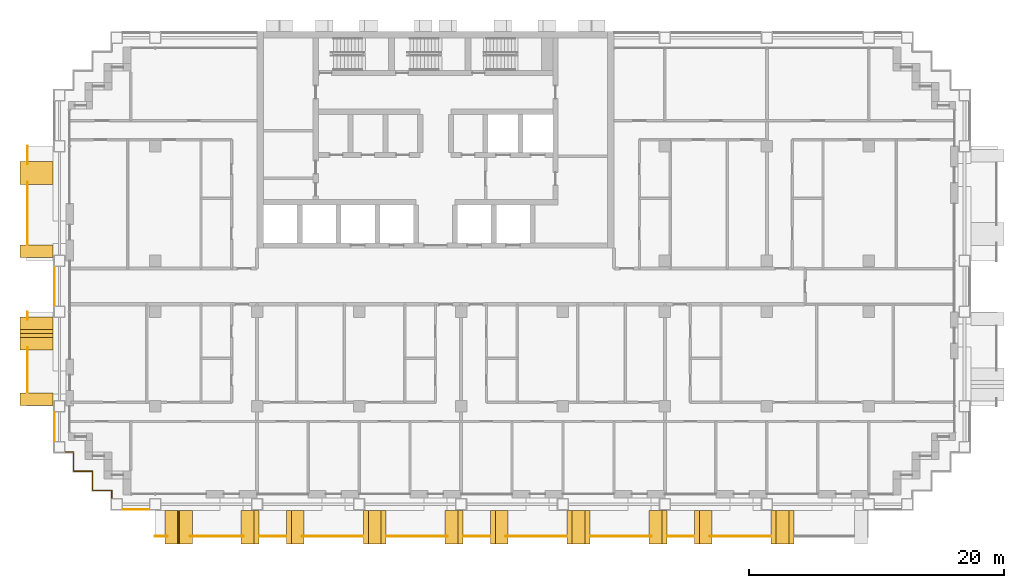
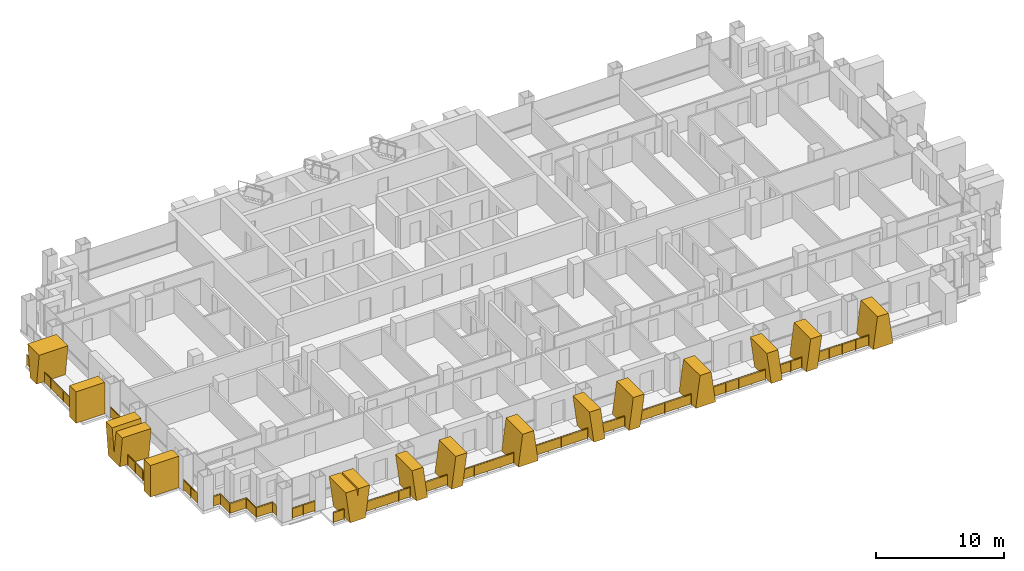
# One storey, part 15 of 18: 18 railings, 14 shading devices.
"""IFC4 building model written with IfcOpenShell, lengths in metres."""

import ifcopenshell
import ifcopenshell.guid

model = None  # the IFC model being written
_history = None  # IfcOwnerHistory: only IFC2X3 demands one
_inside = {}  # id of a spatial element -> (the spatial element, [elements in it])
_under = {}  # id of a project, library or spatial element -> (it, [spatial elements below it])
_declared = {}  # id of a project -> (the project, [libraries it declares])
_typed = {}  # id of a type object -> (the type object, [elements of that type])
_made_of = {}  # id of a material, layer set ... -> (it, [elements and type objects made of it])


def new_model(schema):
    """Start an empty IFC model of exactly this schema.

    Asked for "IFC4X3", IfcOpenShell would pick the latest addendum, in which some entities
    have other attributes; the version numbers below select the first issue.
    IFC2X3 requires an IfcOwnerHistory on every rooted entity: one is made here for all.
    """
    global model, _history
    if schema == "IFC4X3":
        model = ifcopenshell.file(schema_version=(4, 3, 0, 0))
    else:
        model = ifcopenshell.file(schema=schema)
    _inside.clear()
    _under.clear()
    _declared.clear()
    _typed.clear()
    _made_of.clear()
    _history = None
    if model.schema == "IFC2X3":
        org = make("IfcOrganization", Name="unknown")
        user = make(
            "IfcPersonAndOrganization",
            ThePerson=make("IfcPerson", FamilyName="unknown"),
            TheOrganization=org,
        )
        app = make(
            "IfcApplication",
            ApplicationDeveloper=org,
            Version="unknown",
            ApplicationFullName="unknown",
            ApplicationIdentifier="unknown",
        )
        _history = make(
            "IfcOwnerHistory",
            OwningUser=user,
            OwningApplication=app,
            ChangeAction="ADDED",
            CreationDate=0,
        )
    return model


def make(cls, **values):
    """One entity of the class cls with the attributes given. An attribute that is None is left unset."""
    return model.create_entity(
        cls, **{name: value for name, value in values.items() if value is not None}
    )


def rooted(cls, **values):
    """An entity with a GlobalId (a new one), such as an element, a storey or a relation."""
    return make(cls, GlobalId=ifcopenshell.guid.new(), OwnerHistory=_history, **values)


def si_unit(unit_type, name, prefix=None):
    """IfcSIUnit, for example si_unit("LENGTHUNIT", "METRE", prefix="MILLI")."""
    return make("IfcSIUnit", UnitType=unit_type, Prefix=prefix, Name=name)


def assignment(units):
    """IfcUnitAssignment: the units of a project."""
    return None if units is None else make("IfcUnitAssignment", Units=units)


def point(xyz):
    """IfcCartesianPoint."""
    return None if xyz is None else make("IfcCartesianPoint", Coordinates=xyz)


def direction(xyz):
    """IfcDirection."""
    return None if xyz is None else make("IfcDirection", DirectionRatios=xyz)


def frame(location, z_axis=None, x_axis=None):
    """IfcAxis2Placement3D, a coordinate frame: its origin and axes. An axis left out is left unset."""
    return make(
        "IfcAxis2Placement3D",
        Location=point(location),
        Axis=direction(z_axis),
        RefDirection=direction(x_axis),
    )


def frame_2d(location, x_axis=None):
    """IfcAxis2Placement2D, a coordinate frame in the plane: its origin and x axis."""
    return make(
        "IfcAxis2Placement2D", Location=point(location), RefDirection=direction(x_axis)
    )


def origin():
    """The frame at (0, 0, 0) with its axes left unset."""
    return frame((0.0, 0.0, 0.0))


def origin_2d():
    """The frame at (0, 0) in the plane with its x axis left unset."""
    return frame_2d((0.0, 0.0))


def place(relative_to, where):
    """IfcLocalPlacement: puts the frame where relative to a parent placement (None: the world)."""
    return make(
        "IfcLocalPlacement", PlacementRelTo=relative_to, RelativePlacement=where
    )


def context(
    kind, dimensions, precision=None, world=None, true_north=None, identifier=None
):
    """IfcGeometricRepresentationContext, for example the 3D "Model" context."""
    return make(
        "IfcGeometricRepresentationContext",
        ContextIdentifier=identifier,
        ContextType=kind,
        CoordinateSpaceDimension=dimensions,
        Precision=precision,
        WorldCoordinateSystem=world,
        TrueNorth=true_north,
    )


def subcontext(parent, identifier, kind, view, scale=None):
    """IfcGeometricRepresentationSubContext, for example "Body" below "Model"."""
    return make(
        "IfcGeometricRepresentationSubContext",
        ContextIdentifier=identifier,
        ContextType=kind,
        ParentContext=parent,
        TargetScale=scale,
        TargetView=view,
    )


def project(units=None, contexts=None):
    """IfcProject with its units and contexts."""
    return rooted(
        "IfcProject",
        Name="project",
        RepresentationContexts=contexts,
        UnitsInContext=assignment(units),
    )


def spatial(cls, under=None, at=None, **own):
    """A site, building, storey or space (cls), placed at a placement, below another one or the project."""
    s = rooted(cls, ObjectPlacement=at, **own)
    if under is not None:
        _under.setdefault(under.id(), (under, []))[1].append(s)
    return s


def polyline(points):
    """IfcPolyline through the points."""
    return make("IfcPolyline", Points=[point(p) for p in points])


def profile(cls, at=None, kind="AREA", **sizes):
    """A parametric profile (cls). Its sizes go by their IFC names, for example OverallWidth=200.0."""
    return make(cls, ProfileType=kind, Position=at, **sizes)


def rectangle(**sizes):
    """IfcRectangleProfileDef."""
    return profile("IfcRectangleProfileDef", **sizes)


def circle(**sizes):
    """IfcCircleProfileDef."""
    return profile("IfcCircleProfileDef", **sizes)


def outline(outer, holes=None, kind="AREA"):
    """IfcArbitraryClosedProfileDef: a profile drawn as a closed curve; with holes, ...WithVoids."""
    if holes is None:
        return make("IfcArbitraryClosedProfileDef", ProfileType=kind, OuterCurve=outer)
    return make(
        "IfcArbitraryProfileDefWithVoids",
        ProfileType=kind,
        OuterCurve=outer,
        InnerCurves=holes,
    )


def extrude(swept, where, along, depth):
    """IfcExtrudedAreaSolid: the profile swept, set in the frame where, extruded along a direction by depth."""
    return make(
        "IfcExtrudedAreaSolid",
        SweptArea=swept,
        Position=where,
        ExtrudedDirection=direction(along),
        Depth=depth,
    )


def shape(context_of_items, identifier, shape_type, items):
    """IfcShapeRepresentation: the items that make up one representation, for example the "Body"."""
    return make(
        "IfcShapeRepresentation",
        ContextOfItems=context_of_items,
        RepresentationIdentifier=identifier,
        RepresentationType=shape_type,
        Items=items,
    )


def material(Name=None, Category=None):
    """IfcMaterial."""
    return make("IfcMaterial", Name=Name, Category=Category)


def layer(
    of_material, thickness, ventilated=None, Name=None, Category=None, Priority=None
):
    """IfcMaterialLayer: one layer of a wall or slab, of a material (None: an air gap)."""
    return make(
        "IfcMaterialLayer",
        Material=of_material,
        LayerThickness=thickness,
        IsVentilated=ventilated,
        Name=Name,
        Category=Category,
        Priority=Priority,
    )


def layer_set(layers, Name=None):
    """IfcMaterialLayerSet."""
    return make("IfcMaterialLayerSet", MaterialLayers=layers, LayerSetName=Name)


def made_of(thing, what):
    """Note that an element or type object is made of a material, layer set ...; save() writes the relation."""
    if what is not None:
        _made_of.setdefault(what.id(), (what, []))[1].append(thing)
    return thing


def type_object(cls, material=None, **own):
    """A type object (cls), such as IfcWallType, which elements share."""
    return made_of(rooted(cls, **own), material)


def element(
    cls,
    number,
    at=None,
    inside=None,
    cuts=None,
    type_object=None,
    material=None,
    context=None,
    identifier="Body",
    shape_type=None,
    held_by="IfcProductDefinitionShape",
    body=None,
    shapes=None,
    **own,
):
    """One element of the class cls, such as IfcWall. Its Tag is "e" and its number.

    at: its placement. inside: the storey or other place that contains it. cuts: it is an
    opening in that element (IfcRelVoidsElement). A single representation is given by context,
    identifier, shape_type and body (its items); several are given by shapes. held_by: the class
    of the entity that holds the representations. save() writes the other relations.
    """
    e = rooted(cls, Tag="e%d" % number, ObjectPlacement=at, **own)
    if body is not None:
        shapes = [shape(context, identifier, shape_type, body)]
    if shapes is not None:
        e.Representation = make(held_by, Representations=shapes)
    if inside is not None:
        _inside.setdefault(inside.id(), (inside, []))[1].append(e)
    if cuts is not None:
        rooted(
            "IfcRelVoidsElement", RelatingBuildingElement=cuts, RelatedOpeningElement=e
        )
    if type_object is not None:
        _typed.setdefault(type_object.id(), (type_object, []))[1].append(e)
    return made_of(e, material)


def aggregate(whole, parts):
    """IfcRelAggregates: a whole, such as a stair, and the parts it consists of."""
    return rooted("IfcRelAggregates", RelatingObject=whole, RelatedObjects=parts)


def save(model, path):
    """Write the relations noted so far, then the file.

    IfcRelAggregates (storeys below a building ...), IfcRelContainedInSpatialStructure (elements
    in a storey), IfcRelDefinesByType, IfcRelAssociatesMaterial and IfcRelDeclares: one each for
    every whole, place, type object, material and project.
    """
    for whole, parts in _under.values():
        aggregate(whole, parts)
    for where, things in _inside.values():
        rooted(
            "IfcRelContainedInSpatialStructure",
            RelatedElements=things,
            RelatingStructure=where,
        )
    for kind, things in _typed.values():
        rooted("IfcRelDefinesByType", RelatedObjects=things, RelatingType=kind)
    for what, things in _made_of.values():
        rooted("IfcRelAssociatesMaterial", RelatedObjects=things, RelatingMaterial=what)
    for by, libraries in _declared.values():
        rooted("IfcRelDeclares", RelatingContext=by, RelatedDefinitions=libraries)
    model.write(path)


model = new_model("IFC4")

# Units and contexts
model_context = context("Model", 3, precision=1e-05, world=origin(), true_north=direction((0.0, 1.0)))
body_context = subcontext(model_context, "Body", "Model", "MODEL_VIEW")
ifc_project = project(units=[si_unit("LENGTHUNIT", "METRE"), si_unit("AREAUNIT", "SQUARE_METRE"), si_unit("VOLUMEUNIT", "CUBIC_METRE"), si_unit("PLANEANGLEUNIT", "RADIAN"), si_unit("MASSUNIT", "GRAM", prefix="KILO")], contexts=[model_context])

# Site, building, storey
site_placement = place(None, origin())
site = spatial("IfcSite", under=ifc_project, at=site_placement, CompositionType="ELEMENT")
building_placement = place(site_placement, origin())
building = spatial("IfcBuilding", under=site, at=building_placement, Name="Vidyagriha Tower", CompositionType="ELEMENT")
storey_placement = place(building_placement, frame((0.0, 0.0, 90.300048828125)))
storey = spatial("IfcBuildingStorey", under=building, at=storey_placement, Name="L23", CompositionType="ELEMENT", Elevation=90.300048828125)

# Railings
ifc_material_1 = material(Name="Steel ASTM A500 Grade C black painted", Category="steel")
railing_type_1 = type_object("IfcRailingType", Name="Balcony guard 1100", PredefinedType="BALUSTRADE", material=ifc_material_1)
railing_1_placement = place(storey_placement, frame((-32.0, 11.0, 0.0)))
element("IfcRailing", 1, at=railing_1_placement, inside=storey, type_object=railing_type_1, Name="Balcony guard L23 R16.1-1", PredefinedType="BALUSTRADE", context=body_context, shape_type="SweptSolid", body=[
    extrude(circle(Radius=0.02490234375, at=origin_2d()), frame((0.0, 0.0, 1.0751953125), z_axis=(0.0, -1.0, 0.0), x_axis=(1.0, 0.0, 0.0)), (0.0, 0.0, 1.0), 1.396728515625),
    extrude(circle(Radius=0.02001953125, at=origin_2d()), origin(), (0.0, 0.0, 1.0), 1.050048828125),
    extrude(circle(Radius=0.02001953125, at=origin_2d()), frame((0.0, -0.6982421875, 0.0)), (0.0, 0.0, 1.0), 1.050048828125),
    extrude(circle(Radius=0.02001953125, at=origin_2d()), frame((0.0, -1.396728515625, 0.0)), (0.0, 0.0, 1.0), 1.050048828125),
    extrude(rectangle(XDim=0.010009765625, YDim=0.900146484375, at=origin_2d()), frame((0.0, 0.0, 0.550048828125), z_axis=(0.0, -1.0, 0.0), x_axis=(1.0, 0.0, 0.0)), (0.0, 0.0, 1.0), 1.396728515625),
])
railing_2_placement = place(storey_placement, frame((-32.0, 8.19677734375, 0.0)))
element("IfcRailing", 2, at=railing_2_placement, inside=storey, type_object=railing_type_1, Name="Balcony guard L23 R16.1-2", PredefinedType="BALUSTRADE", context=body_context, shape_type="SweptSolid", body=[
    extrude(circle(Radius=0.02490234375, at=origin_2d()), frame((0.0, 0.0, 1.0751953125), z_axis=(0.0, -1.0, 0.0), x_axis=(1.0, 0.0, 0.0)), (0.0, 0.0, 1.0), 4.896728515625),
    extrude(circle(Radius=0.02001953125, at=origin_2d()), origin(), (0.0, 0.0, 1.0), 1.050048828125),
    extrude(circle(Radius=0.02001953125, at=origin_2d()), frame((0.0, -0.979248046875, 0.0)), (0.0, 0.0, 1.0), 1.050048828125),
    extrude(circle(Radius=0.02001953125, at=origin_2d()), frame((0.0, -1.958740234375, 0.0)), (0.0, 0.0, 1.0), 1.050048828125),
    extrude(circle(Radius=0.02001953125, at=origin_2d()), frame((0.0, -2.93798828125, 0.0)), (0.0, 0.0, 1.0), 1.050048828125),
    extrude(circle(Radius=0.02001953125, at=origin_2d()), frame((0.0, -3.91748046875, 0.0)), (0.0, 0.0, 1.0), 1.050048828125),
    extrude(circle(Radius=0.02001953125, at=origin_2d()), frame((0.0, -4.896728515625, 0.0)), (0.0, 0.0, 1.0), 1.050048828125),
    extrude(rectangle(XDim=0.010009765625, YDim=0.900146484375, at=origin_2d()), frame((0.0, 0.0, 0.550048828125), z_axis=(0.0, -1.0, 0.0), x_axis=(1.0, 0.0, 0.0)), (0.0, 0.0, 1.0), 4.896728515625),
])
railing_3_placement = place(storey_placement, frame((-32.0, -2.0, 0.0)))
element("IfcRailing", 3, at=railing_3_placement, inside=storey, type_object=railing_type_1, Name="Balcony guard L23 R16.2-1", PredefinedType="BALUSTRADE", context=body_context, shape_type="SweptSolid", body=[
    extrude(circle(Radius=0.02490234375, at=origin_2d()), frame((0.0, 0.0, 1.0751953125), z_axis=(0.0, -1.0, 0.0), x_axis=(1.0, 0.0, 0.0)), (0.0, 0.0, 1.0), 0.5966796875),
    extrude(circle(Radius=0.02001953125, at=origin_2d()), origin(), (0.0, 0.0, 1.0), 1.050048828125),
    extrude(circle(Radius=0.02001953125, at=origin_2d()), frame((0.0, -0.5966796875, 0.0)), (0.0, 0.0, 1.0), 1.050048828125),
    extrude(rectangle(XDim=0.010009765625, YDim=0.900146484375, at=origin_2d()), frame((0.0, 0.0, 0.550048828125), z_axis=(0.0, -1.0, 0.0), x_axis=(1.0, 0.0, 0.0)), (0.0, 0.0, 1.0), 0.5966796875),
])
railing_4_placement = place(storey_placement, frame((-32.0, -4.80322265625, 0.0)))
element("IfcRailing", 4, at=railing_4_placement, inside=storey, type_object=railing_type_1, Name="Balcony guard L23 R16.2-2", PredefinedType="BALUSTRADE", context=body_context, shape_type="SweptSolid", body=[
    extrude(circle(Radius=0.02490234375, at=origin_2d()), frame((0.0, 0.0, 1.0751953125), z_axis=(0.0, -1.0, 0.0), x_axis=(1.0, 0.0, 0.0)), (0.0, 0.0, 1.0), 3.496826171875),
    extrude(circle(Radius=0.02001953125, at=origin_2d()), origin(), (0.0, 0.0, 1.0), 1.050048828125),
    extrude(circle(Radius=0.02001953125, at=origin_2d()), frame((0.0, -1.16552734375, 0.0)), (0.0, 0.0, 1.0), 1.050048828125),
    extrude(circle(Radius=0.02001953125, at=origin_2d()), frame((0.0, -2.331298828125, 0.0)), (0.0, 0.0, 1.0), 1.050048828125),
    extrude(circle(Radius=0.02001953125, at=origin_2d()), frame((0.0, -3.496826171875, 0.0)), (0.0, 0.0, 1.0), 1.050048828125),
    extrude(rectangle(XDim=0.010009765625, YDim=0.900146484375, at=origin_2d()), frame((0.0, 0.0, 0.550048828125), z_axis=(0.0, -1.0, 0.0), x_axis=(1.0, 0.0, 0.0)), (0.0, 0.0, 1.0), 3.496826171875),
])
railing_5_placement = place(storey_placement, frame((-22.0, -19.60009765625, 0.0)))
element("IfcRailing", 5, at=railing_5_placement, inside=storey, type_object=railing_type_1, Name="Balcony guard L23 R23.1-1", PredefinedType="BALUSTRADE", context=body_context, shape_type="SweptSolid", body=[
    extrude(circle(Radius=0.02490234375, at=origin_2d()), frame((0.0, 0.0, 1.0751953125), z_axis=(1.0, 0.0, 0.0), x_axis=(0.0, 1.0, 0.0)), (0.0, 0.0, 1.0), 0.959228515625),
    extrude(circle(Radius=0.02001953125, at=origin_2d()), origin(), (0.0, 0.0, 1.0), 1.050048828125),
    extrude(circle(Radius=0.02001953125, at=origin_2d()), frame((0.959228515625, 0.0, 0.0)), (0.0, 0.0, 1.0), 1.050048828125),
    extrude(rectangle(XDim=0.010009765625, YDim=0.900146484375, at=origin_2d()), frame((0.0, 0.0, 0.550048828125), z_axis=(1.0, 0.0, 0.0), x_axis=(0.0, 1.0, 0.0)), (0.0, 0.0, 1.0), 0.959228515625),
])
railing_6_placement = place(storey_placement, frame((-19.25927734375, -19.60009765625, 0.0)))
element("IfcRailing", 6, at=railing_6_placement, inside=storey, type_object=railing_type_1, Name="Balcony guard L23 R23.1-2", PredefinedType="BALUSTRADE", context=body_context, shape_type="SweptSolid", body=[
    extrude(circle(Radius=0.02490234375, at=origin_2d()), frame((0.0, 0.0, 1.0751953125), z_axis=(1.0, 0.0, 0.0), x_axis=(0.0, 1.0, 0.0)), (0.0, 0.0, 1.0), 4.202880859375),
    extrude(circle(Radius=0.02001953125, at=origin_2d()), origin(), (0.0, 0.0, 1.0), 1.050048828125),
    extrude(circle(Radius=0.02001953125, at=origin_2d()), frame((1.05078125, 0.0, 0.0)), (0.0, 0.0, 1.0), 1.050048828125),
    extrude(circle(Radius=0.02001953125, at=origin_2d()), frame((2.1015625, 0.0, 0.0)), (0.0, 0.0, 1.0), 1.050048828125),
    extrude(circle(Radius=0.02001953125, at=origin_2d()), frame((3.152099609375, 0.0, 0.0)), (0.0, 0.0, 1.0), 1.050048828125),
    extrude(circle(Radius=0.02001953125, at=origin_2d()), frame((4.202880859375, 0.0, 0.0)), (0.0, 0.0, 1.0), 1.050048828125),
    extrude(rectangle(XDim=0.010009765625, YDim=0.900146484375, at=origin_2d()), frame((0.0, 0.0, 0.550048828125), z_axis=(1.0, 0.0, 0.0), x_axis=(0.0, 1.0, 0.0)), (0.0, 0.0, 1.0), 4.202880859375),
])
railing_7_placement = place(storey_placement, frame((-13.804931640625, -19.60009765625, 0.0)))
element("IfcRailing", 7, at=railing_7_placement, inside=storey, type_object=railing_type_1, Name="Balcony guard L23 R23.1-3", PredefinedType="BALUSTRADE", context=body_context, shape_type="SweptSolid", body=[
    extrude(circle(Radius=0.02490234375, at=origin_2d()), frame((0.0, 0.0, 1.0751953125), z_axis=(1.0, 0.0, 0.0), x_axis=(0.0, 1.0, 0.0)), (0.0, 0.0, 1.0), 2.059814453125),
    extrude(circle(Radius=0.02001953125, at=origin_2d()), origin(), (0.0, 0.0, 1.0), 1.050048828125),
    extrude(circle(Radius=0.02001953125, at=origin_2d()), frame((1.02978515625, 0.0, 0.0)), (0.0, 0.0, 1.0), 1.050048828125),
    extrude(circle(Radius=0.02001953125, at=origin_2d()), frame((2.059814453125, 0.0, 0.0)), (0.0, 0.0, 1.0), 1.050048828125),
    extrude(rectangle(XDim=0.010009765625, YDim=0.900146484375, at=origin_2d()), frame((0.0, 0.0, 0.550048828125), z_axis=(1.0, 0.0, 0.0), x_axis=(0.0, 1.0, 0.0)), (0.0, 0.0, 1.0), 2.059814453125),
])
for number, where, name in (
    (8, (-10.49365234375, -19.60009765625, 0.0), "Balcony guard L23 R23.1-4"),
    (9, (-3.830078125, -19.60009765625, 0.0), "Balcony guard L23 R23.1-5"),
):
    element("IfcRailing", number, at=place(storey_placement, frame(where)), inside=storey, type_object=railing_type_1, Name=name, PredefinedType="BALUSTRADE", context=body_context, shape_type="SweptSolid", body=[
        extrude(circle(Radius=0.02490234375, at=origin_2d()), frame((0.0, 0.0, 1.0751953125), z_axis=(1.0, 0.0, 0.0), x_axis=(0.0, 1.0, 0.0)), (0.0, 0.0, 1.0), 4.773681640625),
        extrude(circle(Radius=0.02001953125, at=origin_2d()), origin(), (0.0, 0.0, 1.0), 1.050048828125),
        extrude(circle(Radius=0.02001953125, at=origin_2d()), frame((1.193359375, 0.0, 0.0)), (0.0, 0.0, 1.0), 1.050048828125),
        extrude(circle(Radius=0.02001953125, at=origin_2d()), frame((2.38671875, 0.0, 0.0)), (0.0, 0.0, 1.0), 1.050048828125),
        extrude(circle(Radius=0.02001953125, at=origin_2d()), frame((3.580322265625, 0.0, 0.0)), (0.0, 0.0, 1.0), 1.050048828125),
        extrude(circle(Radius=0.02001953125, at=origin_2d()), frame((4.773681640625, 0.0, 0.0)), (0.0, 0.0, 1.0), 1.050048828125),
        extrude(rectangle(XDim=0.010009765625, YDim=0.900146484375, at=origin_2d()), frame((0.0, 0.0, 0.550048828125), z_axis=(1.0, 0.0, 0.0), x_axis=(0.0, 1.0, 0.0)), (0.0, 0.0, 1.0), 4.773681640625),
    ])
railing_8_placement = place(storey_placement, frame((2.195068359375, -19.60009765625, 0.0)))
element("IfcRailing", 10, at=railing_8_placement, inside=storey, type_object=railing_type_1, Name="Balcony guard L23 R23.1-6", PredefinedType="BALUSTRADE", context=body_context, shape_type="SweptSolid", body=[
    extrude(circle(Radius=0.02490234375, at=origin_2d()), frame((0.0, 0.0, 1.0751953125), z_axis=(1.0, 0.0, 0.0), x_axis=(0.0, 1.0, 0.0)), (0.0, 0.0, 1.0), 2.059814453125),
    extrude(circle(Radius=0.02001953125, at=origin_2d()), origin(), (0.0, 0.0, 1.0), 1.050048828125),
    extrude(circle(Radius=0.02001953125, at=origin_2d()), frame((1.02978515625, 0.0, 0.0)), (0.0, 0.0, 1.0), 1.050048828125),
    extrude(circle(Radius=0.02001953125, at=origin_2d()), frame((2.059814453125, 0.0, 0.0)), (0.0, 0.0, 1.0), 1.050048828125),
    extrude(rectangle(XDim=0.010009765625, YDim=0.900146484375, at=origin_2d()), frame((0.0, 0.0, 0.550048828125), z_axis=(1.0, 0.0, 0.0), x_axis=(0.0, 1.0, 0.0)), (0.0, 0.0, 1.0), 2.059814453125),
])
for number, where, name in (
    (11, (5.50634765625, -19.60009765625, 0.0), "Balcony guard L23 R23.1-7"),
    (12, (12.169921875, -19.60009765625, 0.0), "Balcony guard L23 R23.1-8"),
):
    element("IfcRailing", number, at=place(storey_placement, frame(where)), inside=storey, type_object=railing_type_1, Name=name, PredefinedType="BALUSTRADE", context=body_context, shape_type="SweptSolid", body=[
        extrude(circle(Radius=0.02490234375, at=origin_2d()), frame((0.0, 0.0, 1.0751953125), z_axis=(1.0, 0.0, 0.0), x_axis=(0.0, 1.0, 0.0)), (0.0, 0.0, 1.0), 4.773681640625),
        extrude(circle(Radius=0.02001953125, at=origin_2d()), origin(), (0.0, 0.0, 1.0), 1.050048828125),
        extrude(circle(Radius=0.02001953125, at=origin_2d()), frame((1.193359375, 0.0, 0.0)), (0.0, 0.0, 1.0), 1.050048828125),
        extrude(circle(Radius=0.02001953125, at=origin_2d()), frame((2.38671875, 0.0, 0.0)), (0.0, 0.0, 1.0), 1.050048828125),
        extrude(circle(Radius=0.02001953125, at=origin_2d()), frame((3.580322265625, 0.0, 0.0)), (0.0, 0.0, 1.0), 1.050048828125),
        extrude(circle(Radius=0.02001953125, at=origin_2d()), frame((4.773681640625, 0.0, 0.0)), (0.0, 0.0, 1.0), 1.050048828125),
        extrude(rectangle(XDim=0.010009765625, YDim=0.900146484375, at=origin_2d()), frame((0.0, 0.0, 0.550048828125), z_axis=(1.0, 0.0, 0.0), x_axis=(0.0, 1.0, 0.0)), (0.0, 0.0, 1.0), 4.773681640625),
    ])
railing_9_placement = place(storey_placement, frame((18.195068359375, -19.60009765625, 0.0)))
element("IfcRailing", 13, at=railing_9_placement, inside=storey, type_object=railing_type_1, Name="Balcony guard L23 R23.1-9", PredefinedType="BALUSTRADE", context=body_context, shape_type="SweptSolid", body=[
    extrude(circle(Radius=0.02490234375, at=origin_2d()), frame((0.0, 0.0, 1.0751953125), z_axis=(1.0, 0.0, 0.0), x_axis=(0.0, 1.0, 0.0)), (0.0, 0.0, 1.0), 2.059814453125),
    extrude(circle(Radius=0.02001953125, at=origin_2d()), origin(), (0.0, 0.0, 1.0), 1.050048828125),
    extrude(circle(Radius=0.02001953125, at=origin_2d()), frame((1.02978515625, 0.0, 0.0)), (0.0, 0.0, 1.0), 1.050048828125),
    extrude(circle(Radius=0.02001953125, at=origin_2d()), frame((2.059814453125, 0.0, 0.0)), (0.0, 0.0, 1.0), 1.050048828125),
    extrude(rectangle(XDim=0.010009765625, YDim=0.900146484375, at=origin_2d()), frame((0.0, 0.0, 0.550048828125), z_axis=(1.0, 0.0, 0.0), x_axis=(0.0, 1.0, 0.0)), (0.0, 0.0, 1.0), 2.059814453125),
])
railing_10_placement = place(storey_placement, frame((21.50634765625, -19.60009765625, 0.0)))
element("IfcRailing", 14, at=railing_10_placement, inside=storey, type_object=railing_type_1, Name="Balcony guard L23 R23.1-10", PredefinedType="BALUSTRADE", context=body_context, shape_type="SweptSolid", body=[
    extrude(circle(Radius=0.02490234375, at=origin_2d()), frame((0.0, 0.0, 1.0751953125), z_axis=(1.0, 0.0, 0.0), x_axis=(0.0, 1.0, 0.0)), (0.0, 0.0, 1.0), 4.773681640625),
    extrude(circle(Radius=0.02001953125, at=origin_2d()), origin(), (0.0, 0.0, 1.0), 1.050048828125),
    extrude(circle(Radius=0.02001953125, at=origin_2d()), frame((1.193359375, 0.0, 0.0)), (0.0, 0.0, 1.0), 1.050048828125),
    extrude(circle(Radius=0.02001953125, at=origin_2d()), frame((2.38671875, 0.0, 0.0)), (0.0, 0.0, 1.0), 1.050048828125),
    extrude(circle(Radius=0.02001953125, at=origin_2d()), frame((3.580322265625, 0.0, 0.0)), (0.0, 0.0, 1.0), 1.050048828125),
    extrude(circle(Radius=0.02001953125, at=origin_2d()), frame((4.773681640625, 0.0, 0.0)), (0.0, 0.0, 1.0), 1.050048828125),
    extrude(rectangle(XDim=0.010009765625, YDim=0.900146484375, at=origin_2d()), frame((0.0, 0.0, 0.550048828125), z_axis=(1.0, 0.0, 0.0), x_axis=(0.0, 1.0, 0.0)), (0.0, 0.0, 1.0), 4.773681640625),
])

# Shading devices
ifc_material_2 = material(Name="Precast concrete C40/50 with buff brick facing", Category="concrete")
ifc_layer_1 = layer(ifc_material_2, 1.0)
ifc_layer_set_1 = layer_set([ifc_layer_1], Name="Precast concrete C40/50 with buff brick facing")
shading_device_type_1 = type_object("IfcShadingDeviceType", Name="Brick-faced blade fin arm leaning 8 degrees", PredefinedType="USERDEFINED", material=ifc_layer_set_1)
shading_device_1_placement = place(storey_placement, frame((-11.695068359375, -18.89990234375, 0.0)))
element("IfcShadingDevice", 15, at=shading_device_1_placement, inside=storey, type_object=shading_device_type_1, Name="Leaning blade fin L23 R23.990a", ObjectType="BLADE FIN", PredefinedType="USERDEFINED", context=body_context, shape_type="SweptSolid", body=[
    extrude(outline(polyline([(0.0, 0.0), (1.0, 0.0), (1.39501953125, 3.0), (0.39501953125, 3.0), (0.0, 0.0)])), frame((0.0, 1.300048828125, 0.0), z_axis=(0.0, -1.0, 0.0), x_axis=(1.0, 0.0, 0.0)), (0.0, 0.0, 1.0), 2.60009765625),
])
shading_device_2_placement = place(storey_placement, frame((-15.25, -18.89990234375, 0.0)))
element("IfcShadingDevice", 16, at=shading_device_2_placement, inside=storey, type_object=shading_device_type_1, Name="Leaning blade fin L23 R23.990b", ObjectType="BLADE FIN", PredefinedType="USERDEFINED", context=body_context, shape_type="SweptSolid", body=[
    extrude(outline(polyline([(0.39501953125, 0.0), (1.39501953125, 0.0), (1.0, 3.0), (0.0, 3.0), (0.39501953125, 0.0)])), frame((0.0, 1.300048828125, 0.0), z_axis=(0.0, -1.0, 0.0), x_axis=(1.0, 0.0, 0.0)), (0.0, 0.0, 1.0), 2.60009765625),
])
shading_device_3_placement = place(storey_placement, frame((4.304931640625, -18.89990234375, 0.0)))
element("IfcShadingDevice", 17, at=shading_device_3_placement, inside=storey, type_object=shading_device_type_1, Name="Leaning blade fin L23 R23.2590a", ObjectType="BLADE FIN", PredefinedType="USERDEFINED", context=body_context, shape_type="SweptSolid", body=[
    extrude(outline(polyline([(0.0, 0.0), (1.0, 0.0), (1.39501953125, 3.0), (0.39501953125, 3.0), (0.0, 0.0)])), frame((0.0, 1.300048828125, 0.0), z_axis=(0.0, -1.0, 0.0), x_axis=(1.0, 0.0, 0.0)), (0.0, 0.0, 1.0), 2.60009765625),
])
shading_device_4_placement = place(storey_placement, frame((0.75, -18.89990234375, 0.0)))
element("IfcShadingDevice", 18, at=shading_device_4_placement, inside=storey, type_object=shading_device_type_1, Name="Leaning blade fin L23 R23.2590b", ObjectType="BLADE FIN", PredefinedType="USERDEFINED", context=body_context, shape_type="SweptSolid", body=[
    extrude(outline(polyline([(0.39501953125, 0.0), (1.39501953125, 0.0), (1.0, 3.0), (0.0, 3.0), (0.39501953125, 0.0)])), frame((0.0, 1.300048828125, 0.0), z_axis=(0.0, -1.0, 0.0), x_axis=(1.0, 0.0, 0.0)), (0.0, 0.0, 1.0), 2.60009765625),
])
shading_device_5_placement = place(storey_placement, frame((20.304931640625, -18.89990234375, 0.0)))
element("IfcShadingDevice", 19, at=shading_device_5_placement, inside=storey, type_object=shading_device_type_1, Name="Leaning blade fin L23 R23.4190a", ObjectType="BLADE FIN", PredefinedType="USERDEFINED", context=body_context, shape_type="SweptSolid", body=[
    extrude(outline(polyline([(0.0, 0.0), (1.0, 0.0), (1.39501953125, 3.0), (0.39501953125, 3.0), (0.0, 0.0)])), frame((0.0, 1.300048828125, 0.0), z_axis=(0.0, -1.0, 0.0), x_axis=(1.0, 0.0, 0.0)), (0.0, 0.0, 1.0), 2.60009765625),
])
shading_device_6_placement = place(storey_placement, frame((16.75, -18.89990234375, 0.0)))
element("IfcShadingDevice", 20, at=shading_device_6_placement, inside=storey, type_object=shading_device_type_1, Name="Leaning blade fin L23 R23.4190b", ObjectType="BLADE FIN", PredefinedType="USERDEFINED", context=body_context, shape_type="SweptSolid", body=[
    extrude(outline(polyline([(0.39501953125, 0.0), (1.39501953125, 0.0), (1.0, 3.0), (0.0, 3.0), (0.39501953125, 0.0)])), frame((0.0, 1.300048828125, 0.0), z_axis=(0.0, -1.0, 0.0), x_axis=(1.0, 0.0, 0.0)), (0.0, 0.0, 1.0), 2.60009765625),
])
ifc_material_3 = material(Name="Precast concrete C40/50 with buff brick facing", Category="concrete")
ifc_layer_2 = layer(ifc_material_3, 1.0)
ifc_layer_set_2 = layer_set([ifc_layer_2], Name="Precast concrete C40/50 with buff brick facing")
shading_device_type_2 = type_object("IfcShadingDeviceType", Name="Brick-faced blade fin forking 8 degrees", PredefinedType="USERDEFINED", material=ifc_layer_set_2)
shading_device_7_placement = place(storey_placement, frame((-31.300048828125, 9.800048828125, 0.0), z_axis=(0.0, 0.0, 1.0), x_axis=(0.0, -1.0, 0.0)))
element("IfcShadingDevice", 21, at=shading_device_7_placement, inside=storey, type_object=shading_device_type_2, Name="Forked blade fin L23 R16.290a", ObjectType="BLADE FIN", PredefinedType="USERDEFINED", context=body_context, shape_type="SweptSolid", body=[
    extrude(outline(polyline([(0.39990234375, 0.0), (1.39990234375, 0.0), (1.800048828125, 3.0), (0.0, 3.0), (0.39990234375, 0.0)])), frame((0.0, 1.300048828125, 0.0), z_axis=(0.0, -1.0, 0.0), x_axis=(1.0, 0.0, 0.0)), (0.0, 0.0, 1.0), 2.60009765625),
])
shading_device_8_placement = place(storey_placement, frame((-31.300048828125, -2.39990234375, 0.0), z_axis=(0.0, 0.0, 1.0), x_axis=(0.0, -1.0, 0.0)))
element("IfcShadingDevice", 22, at=shading_device_8_placement, inside=storey, type_object=shading_device_type_2, Name="Forked blade fin L23 R16.1590a", ObjectType="BLADE FIN", PredefinedType="USERDEFINED", context=body_context, shape_type="SweptSolid", body=[
    extrude(outline(polyline([(0.39990234375, 0.0), (2.199951171875, 0.0), (2.60009765625, 3.0), (1.60009765625, 3.0), (1.300048828125, 0.75), (1.0, 3.0), (0.0, 3.0), (0.39990234375, 0.0)])), frame((0.0, 1.300048828125, 0.0), z_axis=(0.0, -1.0, 0.0), x_axis=(1.0, 0.0, 0.0)), (0.0, 0.0, 1.0), 2.60009765625),
])
shading_device_9_placement = place(storey_placement, frame((-21.228515625, -18.89990234375, 0.0)))
element("IfcShadingDevice", 23, at=shading_device_9_placement, inside=storey, type_object=shading_device_type_2, Name="Forked blade fin L23 R23.190a", ObjectType="BLADE FIN", PredefinedType="USERDEFINED", context=body_context, shape_type="SweptSolid", body=[
    extrude(outline(polyline([(0.3857421875, 0.0), (1.771484375, 0.0), (2.1572265625, 3.0), (1.1572265625, 3.0), (1.07861328125, 2.388916015625), (1.0, 3.0), (0.0, 3.0), (0.3857421875, 0.0)])), frame((0.0, 1.300048828125, 0.0), z_axis=(0.0, -1.0, 0.0), x_axis=(1.0, 0.0, 0.0)), (0.0, 0.0, 1.0), 2.60009765625),
])
for number, where, name in (
    (24, (-5.669921875, -18.89990234375, 0.0), "Forked blade fin L23 R23.1790a"),
    (25, (10.330078125, -18.89990234375, 0.0), "Forked blade fin L23 R23.3390a"),
    (26, (26.330078125, -18.89990234375, 0.0), "Forked blade fin L23 R23.4990a"),
):
    element("IfcShadingDevice", number, at=place(storey_placement, frame(where)), inside=storey, type_object=shading_device_type_2, Name=name, ObjectType="BLADE FIN", PredefinedType="USERDEFINED", context=body_context, shape_type="SweptSolid", body=[
        extrude(outline(polyline([(0.0, 0.0), (1.7900390625, 0.0), (1.39501953125, 3.0), (0.39501953125, 3.0), (0.0, 0.0)])), frame((0.0, 1.300048828125, 0.0), z_axis=(0.0, -1.0, 0.0), x_axis=(1.0, 0.0, 0.0)), (0.0, 0.0, 1.0), 2.60009765625),
    ])
ifc_material_4 = material(Name="Precast concrete C40/50 with buff brick facing", Category="concrete")
ifc_layer_3 = layer(ifc_material_4, 1.0)
ifc_layer_set_3 = layer_set([ifc_layer_3], Name="Precast concrete C40/50 with buff brick facing")
shading_device_type_3 = type_object("IfcShadingDeviceType", Name="Brick-faced blade fin stem 1000", PredefinedType="USERDEFINED", material=ifc_layer_set_3)
for number, where, z_axis, x_axis, name in (
    (27, (-31.300048828125, 3.25, 0.0), (0.0, 0.0, 1.0), (0.0, -1.0, 0.0), "Stem blade fin L23 R16.1190a"),
    (28, (-31.300048828125, -8.35009765625, 0.0), (0.0, 0.0, 1.0), (0.0, -1.0, 0.0), "Stem blade fin L23 R16.2330a"),
):
    element("IfcShadingDevice", number, at=place(storey_placement, frame(where, z_axis=z_axis, x_axis=x_axis)), inside=storey, type_object=shading_device_type_3, Name=name, ObjectType="BLADE FIN", PredefinedType="USERDEFINED", context=body_context, shape_type="SweptSolid", body=[
        extrude(outline(polyline([(0.0, 0.0), (1.0, 0.0), (1.0, 3.0), (0.0, 3.0), (0.0, 0.0)])), frame((0.0, 1.300048828125, 0.0), z_axis=(0.0, -1.0, 0.0), x_axis=(1.0, 0.0, 0.0)), (0.0, 0.0, 1.0), 2.60009765625),
    ])

# Railings
ifc_material_5 = material(Name="Steel ASTM A500 Grade C black painted", Category="steel")
railing_type_2 = type_object("IfcRailingType", Name="Gallery guard 1100", PredefinedType="GUARDRAIL", material=ifc_material_5)
railing_11_placement = place(storey_placement, frame((-29.89990234375, -12.1201171875, 0.0)))
element("IfcRailing", 29, at=railing_11_placement, inside=storey, type_object=railing_type_2, Name="Gallery guard L23 1", PredefinedType="GUARDRAIL", context=body_context, shape_type="SweptSolid", body=[
    extrude(circle(Radius=0.02490234375, at=origin_2d()), frame((0.0, 0.0, 1.0751953125), z_axis=(0.0, 1.0, 0.0), x_axis=(-1.0, 0.0, 0.0)), (0.0, 0.0, 1.0), 2.240234375),
    extrude(circle(Radius=0.02001953125, at=origin_2d()), origin(), (0.0, 0.0, 1.0), 1.050048828125),
    extrude(circle(Radius=0.02001953125, at=origin_2d()), frame((0.0, 1.1201171875, 0.0)), (0.0, 0.0, 1.0), 1.050048828125),
    extrude(circle(Radius=0.02001953125, at=origin_2d()), frame((0.0, 2.240234375, 0.0)), (0.0, 0.0, 1.0), 1.050048828125),
    extrude(rectangle(XDim=0.010009765625, YDim=0.900146484375, at=origin_2d()), frame((0.0, 0.0, 0.550048828125), z_axis=(0.0, 1.0, 0.0), x_axis=(-1.0, 0.0, 0.0)), (0.0, 0.0, 1.0), 2.240234375),
])
railing_12_placement = place(storey_placement, frame((-29.89990234375, -1.52001953125, 0.0)))
element("IfcRailing", 30, at=railing_12_placement, inside=storey, type_object=railing_type_2, Name="Gallery guard L23 2", PredefinedType="GUARDRAIL", context=body_context, shape_type="SweptSolid", body=[
    extrude(circle(Radius=0.02490234375, at=origin_2d()), frame((0.0, 0.0, 1.0751953125), z_axis=(0.0, 1.0, 0.0), x_axis=(-1.0, 0.0, 0.0)), (0.0, 0.0, 1.0), 3.0400390625),
    extrude(circle(Radius=0.02001953125, at=origin_2d()), origin(), (0.0, 0.0, 1.0), 1.050048828125),
    extrude(circle(Radius=0.02001953125, at=origin_2d()), frame((0.0, 1.013427734375, 0.0)), (0.0, 0.0, 1.0), 1.050048828125),
    extrude(circle(Radius=0.02001953125, at=origin_2d()), frame((0.0, 2.026611328125, 0.0)), (0.0, 0.0, 1.0), 1.050048828125),
    extrude(circle(Radius=0.02001953125, at=origin_2d()), frame((0.0, 3.0400390625, 0.0)), (0.0, 0.0, 1.0), 1.050048828125),
    extrude(rectangle(XDim=0.010009765625, YDim=0.900146484375, at=origin_2d()), frame((0.0, 0.0, 0.550048828125), z_axis=(0.0, 1.0, 0.0), x_axis=(-1.0, 0.0, 0.0)), (0.0, 0.0, 1.0), 3.0400390625),
])
railing_13_placement = place(storey_placement, frame((-25.39990234375, -16.6201171875, 0.0)))
element("IfcRailing", 31, at=railing_13_placement, inside=storey, type_object=railing_type_2, Name="Gallery guard L23 4", PredefinedType="GUARDRAIL", context=body_context, shape_type="SweptSolid", body=[
    extrude(circle(Radius=0.02490234375, at=origin_2d()), frame((0.0, 0.0, 1.0751953125), z_axis=(0.0, 1.0, 0.0), x_axis=(-1.0, 0.0, 0.0)), (0.0, 0.0, 1.0), 0.6201171875),
    extrude(circle(Radius=0.02490234375, at=origin_2d()), frame((0.0, 0.6201171875, 1.0751953125), z_axis=(-1.0, 0.0, 0.0), x_axis=(0.0, -1.0, 0.0)), (0.0, 0.0, 1.0), 1.5),
    extrude(circle(Radius=0.02490234375, at=origin_2d()), frame((-1.5, 0.6201171875, 1.0751953125), z_axis=(0.0, 1.0, 0.0), x_axis=(-1.0, 0.0, 0.0)), (0.0, 0.0, 1.0), 1.5),
    extrude(circle(Radius=0.02490234375, at=origin_2d()), frame((-1.5, 2.1201171875, 1.0751953125), z_axis=(-1.0, 0.0, 0.0), x_axis=(0.0, -1.0, 0.0)), (0.0, 0.0, 1.0), 1.5),
    extrude(circle(Radius=0.02490234375, at=origin_2d()), frame((-3.0, 2.1201171875, 1.0751953125), z_axis=(0.0, 1.0, 0.0), x_axis=(-1.0, 0.0, 0.0)), (0.0, 0.0, 1.0), 1.5),
    extrude(circle(Radius=0.02490234375, at=origin_2d()), frame((-3.0, 3.6201171875, 1.0751953125), z_axis=(-1.0, 0.0, 0.0), x_axis=(0.0, -1.0, 0.0)), (0.0, 0.0, 1.0), 0.6201171875),
    extrude(circle(Radius=0.02001953125, at=origin_2d()), origin(), (0.0, 0.0, 1.0), 1.050048828125),
    extrude(circle(Radius=0.02001953125, at=origin_2d()), frame((0.0, 0.6201171875, 0.0)), (0.0, 0.0, 1.0), 1.050048828125),
    extrude(circle(Radius=0.02001953125, at=origin_2d()), frame((-1.5, 0.6201171875, 0.0)), (0.0, 0.0, 1.0), 1.050048828125),
    extrude(circle(Radius=0.02001953125, at=origin_2d()), frame((-1.5, 2.1201171875, 0.0)), (0.0, 0.0, 1.0), 1.050048828125),
    extrude(circle(Radius=0.02001953125, at=origin_2d()), frame((-3.0, 2.1201171875, 0.0)), (0.0, 0.0, 1.0), 1.050048828125),
    extrude(circle(Radius=0.02001953125, at=origin_2d()), frame((-3.0, 3.6201171875, 0.0)), (0.0, 0.0, 1.0), 1.050048828125),
    extrude(circle(Radius=0.02001953125, at=origin_2d()), frame((-3.6201171875, 3.6201171875, 0.0)), (0.0, 0.0, 1.0), 1.050048828125),
    extrude(rectangle(XDim=0.010009765625, YDim=0.900146484375, at=origin_2d()), frame((0.0, 0.0, 0.550048828125), z_axis=(0.0, 1.0, 0.0), x_axis=(-1.0, 0.0, 0.0)), (0.0, 0.0, 1.0), 0.6201171875),
    extrude(rectangle(XDim=0.010009765625, YDim=0.900146484375, at=origin_2d()), frame((0.0, 0.6201171875, 0.550048828125), z_axis=(-1.0, 0.0, 0.0), x_axis=(0.0, -1.0, 0.0)), (0.0, 0.0, 1.0), 1.5),
    extrude(rectangle(XDim=0.010009765625, YDim=0.900146484375, at=origin_2d()), frame((-1.5, 0.6201171875, 0.550048828125), z_axis=(0.0, 1.0, 0.0), x_axis=(-1.0, 0.0, 0.0)), (0.0, 0.0, 1.0), 1.5),
    extrude(rectangle(XDim=0.010009765625, YDim=0.900146484375, at=origin_2d()), frame((-1.5, 2.1201171875, 0.550048828125), z_axis=(-1.0, 0.0, 0.0), x_axis=(0.0, -1.0, 0.0)), (0.0, 0.0, 1.0), 1.5),
    extrude(rectangle(XDim=0.010009765625, YDim=0.900146484375, at=origin_2d()), frame((-3.0, 2.1201171875, 0.550048828125), z_axis=(0.0, 1.0, 0.0), x_axis=(-1.0, 0.0, 0.0)), (0.0, 0.0, 1.0), 1.5),
    extrude(rectangle(XDim=0.010009765625, YDim=0.900146484375, at=origin_2d()), frame((-3.0, 3.6201171875, 0.550048828125), z_axis=(-1.0, 0.0, 0.0), x_axis=(0.0, -1.0, 0.0)), (0.0, 0.0, 1.0), 0.6201171875),
])
railing_14_placement = place(storey_placement, frame((-22.47998046875, -17.5, 0.0)))
element("IfcRailing", 32, at=railing_14_placement, inside=storey, type_object=railing_type_2, Name="Gallery guard L23 6", PredefinedType="GUARDRAIL", context=body_context, shape_type="SweptSolid", body=[
    extrude(circle(Radius=0.02490234375, at=origin_2d()), frame((0.0, 0.0, 1.0751953125), z_axis=(-1.0, 0.0, 0.0), x_axis=(0.0, -1.0, 0.0)), (0.0, 0.0, 1.0), 2.0400390625),
    extrude(circle(Radius=0.02001953125, at=origin_2d()), origin(), (0.0, 0.0, 1.0), 1.050048828125),
    extrude(circle(Radius=0.02001953125, at=origin_2d()), frame((-1.02001953125, 0.0, 0.0)), (0.0, 0.0, 1.0), 1.050048828125),
    extrude(circle(Radius=0.02001953125, at=origin_2d()), frame((-2.0400390625, 0.0, 0.0)), (0.0, 0.0, 1.0), 1.050048828125),
    extrude(rectangle(XDim=0.010009765625, YDim=0.900146484375, at=origin_2d()), frame((0.0, 0.0, 0.550048828125), z_axis=(-1.0, 0.0, 0.0), x_axis=(0.0, -1.0, 0.0)), (0.0, 0.0, 1.0), 2.0400390625),
])

save(model, "model.ifc")
